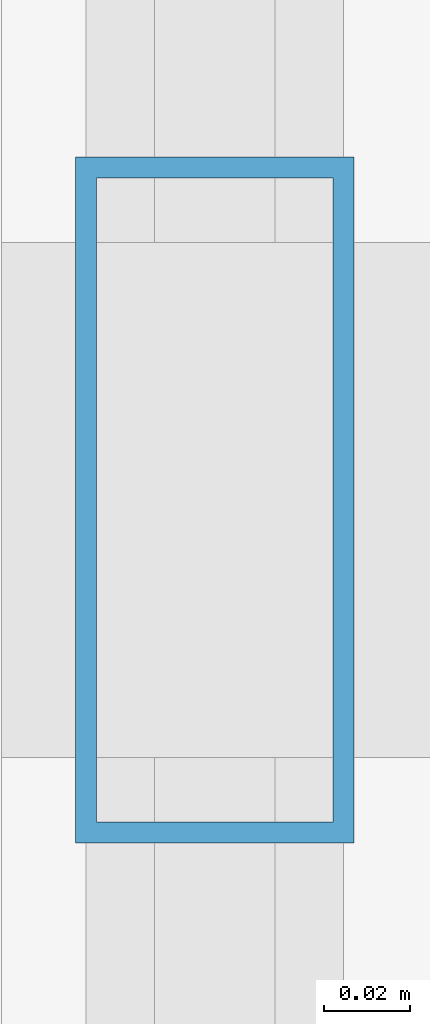
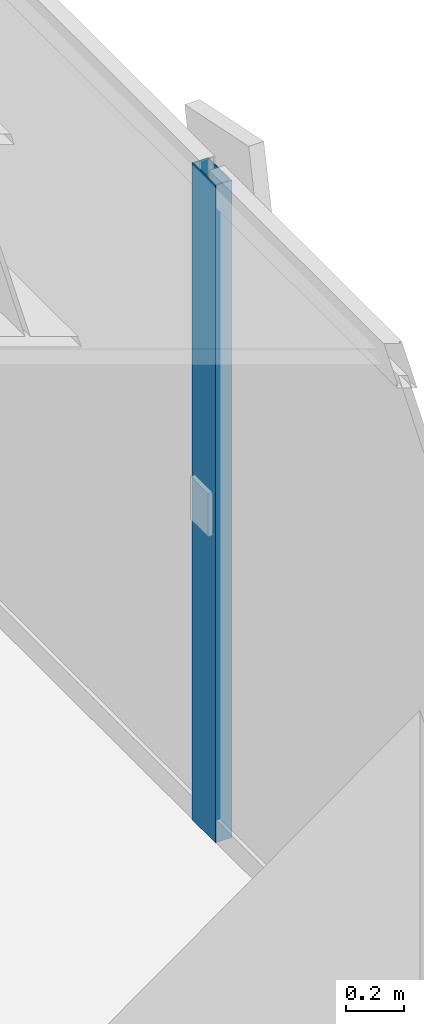
# One storey, part 11 of 27: 1 member, 1 element without a shape of its own.
"""IFC4 building model written with IfcOpenShell, lengths in metres."""

from ifc_helpers import new_model, si_unit, direction, frame, origin, origin_2d, place, context, subcontext, project, spatial, hollow_rectangle, extrude, source, transform, mapped, material, layer, layer_set, material_profile, profile_set, type_object, element, aggregate, save


model = new_model("IFC4")

# Units and contexts
model_context = context("Model", 3, precision=1e-05, world=origin(), true_north=direction((0.0, 1.0)))
body_context = subcontext(model_context, "Body", "Model", "MODEL_VIEW")
ifc_project = project(units=[si_unit("LENGTHUNIT", "METRE"), si_unit("AREAUNIT", "SQUARE_METRE"), si_unit("VOLUMEUNIT", "CUBIC_METRE"), si_unit("PLANEANGLEUNIT", "RADIAN"), si_unit("MASSUNIT", "GRAM", prefix="KILO")], contexts=[model_context])

# Site, building, storey
site_placement = place(None, origin())
site = spatial("IfcSite", under=ifc_project, at=site_placement, CompositionType="ELEMENT")
building_placement = place(site_placement, origin())
building = spatial("IfcBuilding", under=site, at=building_placement, Name="Sumidabori Civic Tower", CompositionType="ELEMENT")
storey_placement = place(building_placement, frame((0.0, 0.0, 160.39990234375)))
storey = spatial("IfcBuildingStorey", under=building, at=storey_placement, Name="L41", CompositionType="ELEMENT", Elevation=160.39990234375)

# Curtain wall, member
ifc_material = material(Name="Anodised Bronze Aluminium AW-6063-T6", Category="aluminium")
ifc_layer = layer(ifc_material, 0.179931640625, Name="Anodised Bronze Aluminium AW-6063-T6")
ifc_layer_set = layer_set([ifc_layer], Name="Anodised Bronze Aluminium AW-6063-T6")
curtain_wall_type = type_object("IfcCurtainWallType", Name="CW-SYS-3", PredefinedType="NOTDEFINED", material=ifc_layer_set)
curtain_wall_placement = place(storey_placement, origin())
curtain_wall = element("IfcCurtainWall", 1, at=curtain_wall_placement, inside=storey, type_object=curtain_wall_type, Name="Curtain Wall CW:L41:R04", PredefinedType="NOTDEFINED")
ifc_material_profile = material_profile(ifc_material, hollow_rectangle(XDim=0.06494140625, YDim=0.159912109375, WallThickness=0.0048828125, at=origin_2d()), Name="ALU MULLION 160x65")
ifc_profile_set = profile_set([ifc_material_profile], Name="Anodised Bronze Aluminium AW-6063-T6")
member_type = type_object("IfcMemberType", Name="CW-MUL-160", PredefinedType="MULLION", material=ifc_profile_set)
shared_shape = source(origin(), body_context, "Body", "SweptSolid", [
    extrude(hollow_rectangle(XDim=0.06494140625, YDim=0.159912109375, WallThickness=0.0048828125, at=origin_2d()), origin(), (0.0, 0.0, 1.0), 2.760009765625),
])
member_placement = place(storey_placement, frame((23.8798828125, -8.0849609375, 0.0), z_axis=(0.0, 0.0, 1.0), x_axis=(-1.0, 0.0, 0.0)))
member = element("IfcMember", 2, at=member_placement, type_object=member_type, Name="CW-3 mullion 2", PredefinedType="MULLION", context=body_context, shape_type="MappedRepresentation", body=[
    mapped(shared_shape, transform((0.0, 0.0, 0.0), x_axis=(1.0, 0.0, 0.0), y_axis=(0.0, 1.0, 0.0), z_axis=(0.0, 0.0, 1.0), scale=1.0)),
])
aggregate(curtain_wall, [member])

save(model, "model.ifc")
